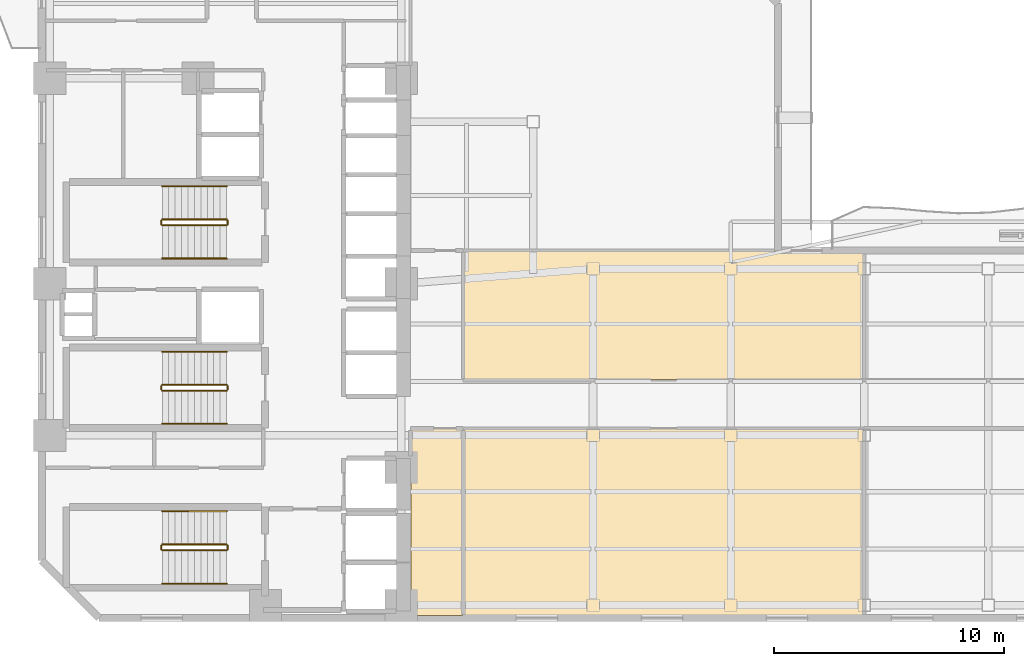
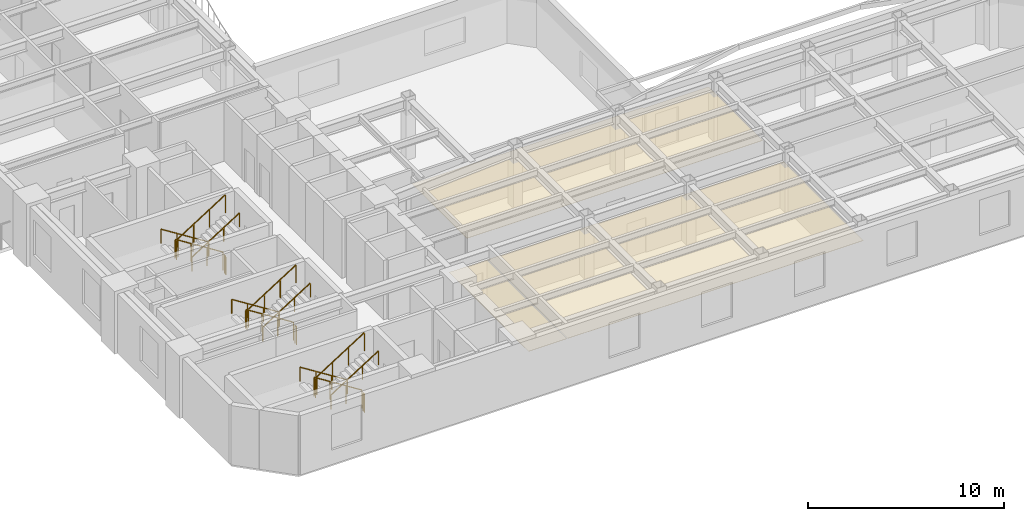
# One storey, part 8 of 10: 18 railings, 3 coverings.
"""IFC4 building model written with IfcOpenShell, lengths in metres."""

from ifc_helpers import new_model, si_unit, direction, frame, origin, origin_2d, place, context, subcontext, project, spatial, polyline, rectangle, outline, extrude, material, layer, layer_set, type_object, element, save


model = new_model("IFC4")

# Units and contexts
model_context = context("Model", 3, precision=1e-05, world=origin(), true_north=direction((0.0, 1.0)))
body_context = subcontext(model_context, "Body", "Model", "MODEL_VIEW")
ifc_project = project(units=[si_unit("LENGTHUNIT", "METRE"), si_unit("AREAUNIT", "SQUARE_METRE"), si_unit("VOLUMEUNIT", "CUBIC_METRE"), si_unit("PLANEANGLEUNIT", "RADIAN"), si_unit("MASSUNIT", "GRAM", prefix="KILO")], contexts=[model_context])

# Site, building, storey
site_placement = place(None, origin())
site = spatial("IfcSite", under=ifc_project, at=site_placement, CompositionType="ELEMENT")
building_placement = place(site_placement, origin())
building = spatial("IfcBuilding", under=site, at=building_placement, Name="Mawjaban Terraces University", CompositionType="ELEMENT")
storey_placement = place(building_placement, frame((0.0, 0.0, 42.699951171875)))
storey = spatial("IfcBuildingStorey", under=building, at=storey_placement, Name="L09", CompositionType="ELEMENT", Elevation=42.699951171875)

# Coverings
ifc_material_1 = material(Name="Acoustic mineral fibre ceiling tile", Category="masonry")
ifc_layer = layer(ifc_material_1, 0.02001953125)
ifc_layer_set = layer_set([ifc_layer], Name="Acoustic mineral fibre ceiling tile")
covering_type = type_object("IfcCoveringType", Name="AcousticMineralCeiling_20", PredefinedType="CEILING", material=ifc_layer_set)
covering_1_placement = place(storey_placement, frame((0.0, 0.0, 2.75)))
element("IfcCovering", 1, at=covering_1_placement, inside=storey, type_object=covering_type, Name="L09 Design Studio 1 Acoustic Ceiling", PredefinedType="CEILING", context=body_context, shape_type="SweptSolid", body=[
    extrude(outline(polyline([(38.080078125, 0.114990234375), (40.320068359375, 0.114990234375), (40.320068359375, 8.219970703125), (38.080078125, 8.219970703125), (38.080078125, 0.114990234375)])), origin(), (0.0, 0.0, 1.0), 0.02001953125),
])
covering_2_placement = place(storey_placement, frame((0.0, 0.0, 2.75)))
element("IfcCovering", 2, at=covering_2_placement, inside=storey, type_object=covering_type, Name="L09 Computational Laboratory 2 Acoustic Ceiling", PredefinedType="CEILING", context=body_context, shape_type="SweptSolid", body=[
    extrude(outline(polyline([(40.3798828125, 0.114990234375), (57.77001953125, 0.114990234375), (57.77001953125, 8.219970703125), (40.3798828125, 8.219970703125), (40.3798828125, 0.114990234375)])), origin(), (0.0, 0.0, 1.0), 0.02001953125),
])
covering_3_placement = place(storey_placement, frame((0.0, 0.0, 2.75)))
element("IfcCovering", 3, at=covering_3_placement, inside=storey, type_object=covering_type, Name="L09 Teaching Laboratory 3 Acoustic Ceiling", PredefinedType="CEILING", context=body_context, shape_type="SweptSolid", body=[
    extrude(outline(polyline([(57.77001953125, 15.885009765625), (53.93505859375, 15.885009765625), (53.93505859375, 15.969970703125), (40.3798828125, 15.969970703125), (40.3798828125, 10.3798828125), (57.77001953125, 10.3798828125), (57.77001953125, 15.885009765625)])), origin(), (0.0, 0.0, 1.0), 0.02001953125),
])

# Railings
ifc_material_2 = material(Name="Brushed stainless steel 316", Category="steel")
railing_type_1 = type_object("IfcRailingType", Name="StairWallHandrail_900", PredefinedType="HANDRAIL", material=ifc_material_2)
railing_1_placement = place(storey_placement, frame((30.050048828125, 4.64990234375, 0.17724609375)))
element("IfcRailing", 4, at=railing_1_placement, inside=storey, type_object=railing_type_1, Name="L09 ST-1 stair handrail 1", PredefinedType="HANDRAIL", context=body_context, shape_type="SweptSolid", body=[
    extrude(rectangle(XDim=0.048095703125, YDim=0.048095703125, at=origin_2d()), frame((0.0, 0.0, 0.8759765625), z_axis=(-0.844908973607, 0.0, 0.534910110503), x_axis=(0.0, -1.0, 0.0)), (0.0, 0.0, 1.0), 3.31396484375),
    extrude(rectangle(XDim=0.0419921875, YDim=0.0419921875, at=origin_2d()), origin(), (0.0, 0.0, 1.0), 0.851806640625),
    extrude(rectangle(XDim=0.0419921875, YDim=0.0419921875, at=origin_2d()), frame((-0.933349609375, 0.0, 0.5908203125)), (0.0, 0.0, 1.0), 0.851806640625),
    extrude(rectangle(XDim=0.0419921875, YDim=0.0419921875, at=origin_2d()), frame((-1.86669921875, 0.0, 1.181884765625)), (0.0, 0.0, 1.0), 0.851806640625),
    extrude(rectangle(XDim=0.0419921875, YDim=0.0419921875, at=origin_2d()), frame((-2.800048828125, 0.0, 1.772705078125)), (0.0, 0.0, 1.0), 0.851806640625),
])
railing_2_placement = place(storey_placement, frame((27.25, 1.5, 2.12744140625)))
element("IfcRailing", 5, at=railing_2_placement, inside=storey, type_object=railing_type_1, Name="L09 ST-1 stair handrail 2", PredefinedType="HANDRAIL", context=body_context, shape_type="SweptSolid", body=[
    extrude(rectangle(XDim=0.048095703125, YDim=0.048095703125, at=origin_2d()), frame((0.0, 0.0, 0.8759765625), z_axis=(0.844908973607, 0.0, 0.534910110503), x_axis=(0.0, 1.0, 0.0)), (0.0, 0.0, 1.0), 3.31396484375),
    extrude(rectangle(XDim=0.0419921875, YDim=0.0419921875, at=origin_2d()), origin(), (0.0, 0.0, 1.0), 0.851806640625),
    extrude(rectangle(XDim=0.0419921875, YDim=0.0419921875, at=origin_2d()), frame((0.933349609375, 0.0, 0.5908203125)), (0.0, 0.0, 1.0), 0.851806640625),
    extrude(rectangle(XDim=0.0419921875, YDim=0.0419921875, at=origin_2d()), frame((1.86669921875, 0.0, 1.181884765625)), (0.0, 0.0, 1.0), 0.851806640625),
    extrude(rectangle(XDim=0.0419921875, YDim=0.0419921875, at=origin_2d()), frame((2.800048828125, 0.0, 1.772705078125)), (0.0, 0.0, 1.0), 0.851806640625),
])
railing_3_placement = place(storey_placement, frame((30.050048828125, 18.800048828125, 0.17724609375)))
element("IfcRailing", 6, at=railing_3_placement, inside=storey, type_object=railing_type_1, Name="L09 ST-2 stair handrail 1", PredefinedType="HANDRAIL", context=body_context, shape_type="SweptSolid", body=[
    extrude(rectangle(XDim=0.048095703125, YDim=0.048095703125, at=origin_2d()), frame((0.0, 0.0, 0.8759765625), z_axis=(-0.844908973607, 0.0, 0.534910110503), x_axis=(0.0, -1.0, 0.0)), (0.0, 0.0, 1.0), 3.31396484375),
    extrude(rectangle(XDim=0.0419921875, YDim=0.0419921875, at=origin_2d()), origin(), (0.0, 0.0, 1.0), 0.851806640625),
    extrude(rectangle(XDim=0.0419921875, YDim=0.0419921875, at=origin_2d()), frame((-0.933349609375, 0.0, 0.5908203125)), (0.0, 0.0, 1.0), 0.851806640625),
    extrude(rectangle(XDim=0.0419921875, YDim=0.0419921875, at=origin_2d()), frame((-1.86669921875, 0.0, 1.181884765625)), (0.0, 0.0, 1.0), 0.851806640625),
    extrude(rectangle(XDim=0.0419921875, YDim=0.0419921875, at=origin_2d()), frame((-2.800048828125, 0.0, 1.772705078125)), (0.0, 0.0, 1.0), 0.851806640625),
])
railing_4_placement = place(storey_placement, frame((27.25, 15.64990234375, 2.12744140625)))
element("IfcRailing", 7, at=railing_4_placement, inside=storey, type_object=railing_type_1, Name="L09 ST-2 stair handrail 2", PredefinedType="HANDRAIL", context=body_context, shape_type="SweptSolid", body=[
    extrude(rectangle(XDim=0.048095703125, YDim=0.048095703125, at=origin_2d()), frame((0.0, 0.0, 0.8759765625), z_axis=(0.844908973607, 0.0, 0.534910110503), x_axis=(0.0, 1.0, 0.0)), (0.0, 0.0, 1.0), 3.31396484375),
    extrude(rectangle(XDim=0.0419921875, YDim=0.0419921875, at=origin_2d()), origin(), (0.0, 0.0, 1.0), 0.851806640625),
    extrude(rectangle(XDim=0.0419921875, YDim=0.0419921875, at=origin_2d()), frame((0.933349609375, 0.0, 0.5908203125)), (0.0, 0.0, 1.0), 0.851806640625),
    extrude(rectangle(XDim=0.0419921875, YDim=0.0419921875, at=origin_2d()), frame((1.86669921875, 0.0, 1.181884765625)), (0.0, 0.0, 1.0), 0.851806640625),
    extrude(rectangle(XDim=0.0419921875, YDim=0.0419921875, at=origin_2d()), frame((2.800048828125, 0.0, 1.772705078125)), (0.0, 0.0, 1.0), 0.851806640625),
])
railing_5_placement = place(storey_placement, frame((30.050048828125, 11.60009765625, 0.17724609375)))
element("IfcRailing", 8, at=railing_5_placement, inside=storey, type_object=railing_type_1, Name="L09 ST-3 stair handrail 1", PredefinedType="HANDRAIL", context=body_context, shape_type="SweptSolid", body=[
    extrude(rectangle(XDim=0.048095703125, YDim=0.048095703125, at=origin_2d()), frame((0.0, 0.0, 0.8759765625), z_axis=(-0.844908973607, 0.0, 0.534910110503), x_axis=(0.0, -1.0, 0.0)), (0.0, 0.0, 1.0), 3.31396484375),
    extrude(rectangle(XDim=0.0419921875, YDim=0.0419921875, at=origin_2d()), origin(), (0.0, 0.0, 1.0), 0.851806640625),
    extrude(rectangle(XDim=0.0419921875, YDim=0.0419921875, at=origin_2d()), frame((-0.933349609375, 0.0, 0.5908203125)), (0.0, 0.0, 1.0), 0.851806640625),
    extrude(rectangle(XDim=0.0419921875, YDim=0.0419921875, at=origin_2d()), frame((-1.86669921875, 0.0, 1.181884765625)), (0.0, 0.0, 1.0), 0.851806640625),
    extrude(rectangle(XDim=0.0419921875, YDim=0.0419921875, at=origin_2d()), frame((-2.800048828125, 0.0, 1.772705078125)), (0.0, 0.0, 1.0), 0.851806640625),
])
railing_6_placement = place(storey_placement, frame((27.25, 8.449951171875, 2.12744140625)))
element("IfcRailing", 9, at=railing_6_placement, inside=storey, type_object=railing_type_1, Name="L09 ST-3 stair handrail 2", PredefinedType="HANDRAIL", context=body_context, shape_type="SweptSolid", body=[
    extrude(rectangle(XDim=0.048095703125, YDim=0.048095703125, at=origin_2d()), frame((0.0, 0.0, 0.8759765625), z_axis=(0.844908973607, 0.0, 0.534910110503), x_axis=(0.0, 1.0, 0.0)), (0.0, 0.0, 1.0), 3.31396484375),
    extrude(rectangle(XDim=0.0419921875, YDim=0.0419921875, at=origin_2d()), origin(), (0.0, 0.0, 1.0), 0.851806640625),
    extrude(rectangle(XDim=0.0419921875, YDim=0.0419921875, at=origin_2d()), frame((0.933349609375, 0.0, 0.5908203125)), (0.0, 0.0, 1.0), 0.851806640625),
    extrude(rectangle(XDim=0.0419921875, YDim=0.0419921875, at=origin_2d()), frame((1.86669921875, 0.0, 1.181884765625)), (0.0, 0.0, 1.0), 0.851806640625),
    extrude(rectangle(XDim=0.0419921875, YDim=0.0419921875, at=origin_2d()), frame((2.800048828125, 0.0, 1.772705078125)), (0.0, 0.0, 1.0), 0.851806640625),
])
ifc_material_3 = material(Name="Galvanised painted steel S355", Category="steel")
railing_type_2 = type_object("IfcRailingType", Name="StairWellGuard_1150", PredefinedType="BALUSTRADE", material=ifc_material_3)
railing_7_placement = place(storey_placement, frame((30.050048828125, 3.199951171875, 0.17724609375)))
element("IfcRailing", 10, at=railing_7_placement, inside=storey, type_object=railing_type_2, Name="L09 ST-1 stair guard 1", PredefinedType="BALUSTRADE", context=body_context, shape_type="SweptSolid", body=[
    extrude(rectangle(XDim=0.048095703125, YDim=0.048095703125, at=origin_2d()), frame((0.0, 0.0, 1.1259765625), z_axis=(-0.844908973607, 0.0, 0.534910110503), x_axis=(0.0, -1.0, 0.0)), (0.0, 0.0, 1.0), 3.31396484375),
    extrude(rectangle(XDim=0.0419921875, YDim=0.0419921875, at=origin_2d()), origin(), (0.0, 0.0, 1.0), 1.101806640625),
    extrude(rectangle(XDim=0.0419921875, YDim=0.0419921875, at=origin_2d()), frame((-0.933349609375, 0.0, 0.5908203125)), (0.0, 0.0, 1.0), 1.101806640625),
    extrude(rectangle(XDim=0.0419921875, YDim=0.0419921875, at=origin_2d()), frame((-1.86669921875, 0.0, 1.181884765625)), (0.0, 0.0, 1.0), 1.101806640625),
    extrude(rectangle(XDim=0.0419921875, YDim=0.0419921875, at=origin_2d()), frame((-2.800048828125, 0.0, 1.772705078125)), (0.0, 0.0, 1.0), 1.101806640625),
])
railing_8_placement = place(storey_placement, frame((27.199951171875, 3.14990234375, 1.949951171875)))
element("IfcRailing", 11, at=railing_8_placement, inside=storey, type_object=railing_type_2, Name="L09 ST-1 stair guard 2", PredefinedType="BALUSTRADE", context=body_context, shape_type="SweptSolid", body=[
    extrude(rectangle(XDim=0.048095703125, YDim=0.048095703125, at=origin_2d()), frame((0.0, 0.0, 1.1259765625), z_axis=(0.0, -1.0, 0.0), x_axis=(1.0, 0.0, 0.0)), (0.0, 0.0, 1.0), 0.14990234375),
    extrude(rectangle(XDim=0.0419921875, YDim=0.0419921875, at=origin_2d()), origin(), (0.0, 0.0, 1.0), 1.101806640625),
    extrude(rectangle(XDim=0.0419921875, YDim=0.0419921875, at=origin_2d()), frame((0.0, -0.14990234375, 0.0)), (0.0, 0.0, 1.0), 1.101806640625),
])
railing_9_placement = place(storey_placement, frame((27.25, 2.949951171875, 2.12744140625)))
element("IfcRailing", 12, at=railing_9_placement, inside=storey, type_object=railing_type_2, Name="L09 ST-1 stair guard 3", PredefinedType="BALUSTRADE", context=body_context, shape_type="SweptSolid", body=[
    extrude(rectangle(XDim=0.048095703125, YDim=0.048095703125, at=origin_2d()), frame((0.0, 0.0, 1.1259765625), z_axis=(0.844908973607, 0.0, 0.534910110503), x_axis=(0.0, 1.0, 0.0)), (0.0, 0.0, 1.0), 3.31396484375),
    extrude(rectangle(XDim=0.0419921875, YDim=0.0419921875, at=origin_2d()), origin(), (0.0, 0.0, 1.0), 1.101806640625),
    extrude(rectangle(XDim=0.0419921875, YDim=0.0419921875, at=origin_2d()), frame((0.933349609375, 0.0, 0.5908203125)), (0.0, 0.0, 1.0), 1.101806640625),
    extrude(rectangle(XDim=0.0419921875, YDim=0.0419921875, at=origin_2d()), frame((1.86669921875, 0.0, 1.181884765625)), (0.0, 0.0, 1.0), 1.101806640625),
    extrude(rectangle(XDim=0.0419921875, YDim=0.0419921875, at=origin_2d()), frame((2.800048828125, 0.0, 1.772705078125)), (0.0, 0.0, 1.0), 1.101806640625),
])
railing_10_placement = place(storey_placement, frame((30.10009765625, 3.14990234375, 0.0)))
element("IfcRailing", 13, at=railing_10_placement, inside=storey, type_object=railing_type_2, Name="L09 ST-1 stair guard 4", PredefinedType="BALUSTRADE", context=body_context, shape_type="SweptSolid", body=[
    extrude(rectangle(XDim=0.048095703125, YDim=0.048095703125, at=origin_2d()), frame((0.0, 0.0, 1.1259765625), z_axis=(0.0, -1.0, 0.0), x_axis=(1.0, 0.0, 0.0)), (0.0, 0.0, 1.0), 0.14990234375),
    extrude(rectangle(XDim=0.0419921875, YDim=0.0419921875, at=origin_2d()), origin(), (0.0, 0.0, 1.0), 1.101806640625),
    extrude(rectangle(XDim=0.0419921875, YDim=0.0419921875, at=origin_2d()), frame((0.0, -0.14990234375, 0.0)), (0.0, 0.0, 1.0), 1.101806640625),
])
railing_11_placement = place(storey_placement, frame((30.050048828125, 17.35009765625, 0.17724609375)))
element("IfcRailing", 14, at=railing_11_placement, inside=storey, type_object=railing_type_2, Name="L09 ST-2 stair guard 1", PredefinedType="BALUSTRADE", context=body_context, shape_type="SweptSolid", body=[
    extrude(rectangle(XDim=0.048095703125, YDim=0.048095703125, at=origin_2d()), frame((0.0, 0.0, 1.1259765625), z_axis=(-0.844908973607, 0.0, 0.534910110503), x_axis=(0.0, -1.0, 0.0)), (0.0, 0.0, 1.0), 3.31396484375),
    extrude(rectangle(XDim=0.0419921875, YDim=0.0419921875, at=origin_2d()), origin(), (0.0, 0.0, 1.0), 1.101806640625),
    extrude(rectangle(XDim=0.0419921875, YDim=0.0419921875, at=origin_2d()), frame((-0.933349609375, 0.0, 0.5908203125)), (0.0, 0.0, 1.0), 1.101806640625),
    extrude(rectangle(XDim=0.0419921875, YDim=0.0419921875, at=origin_2d()), frame((-1.86669921875, 0.0, 1.181884765625)), (0.0, 0.0, 1.0), 1.101806640625),
    extrude(rectangle(XDim=0.0419921875, YDim=0.0419921875, at=origin_2d()), frame((-2.800048828125, 0.0, 1.772705078125)), (0.0, 0.0, 1.0), 1.101806640625),
])
railing_12_placement = place(storey_placement, frame((27.199951171875, 17.300048828125, 1.949951171875)))
element("IfcRailing", 15, at=railing_12_placement, inside=storey, type_object=railing_type_2, Name="L09 ST-2 stair guard 2", PredefinedType="BALUSTRADE", context=body_context, shape_type="SweptSolid", body=[
    extrude(rectangle(XDim=0.048095703125, YDim=0.048095703125, at=origin_2d()), frame((0.0, 0.0, 1.1259765625), z_axis=(0.0, -1.0, 0.0), x_axis=(1.0, 0.0, 0.0)), (0.0, 0.0, 1.0), 0.150146484375),
    extrude(rectangle(XDim=0.0419921875, YDim=0.0419921875, at=origin_2d()), origin(), (0.0, 0.0, 1.0), 1.101806640625),
    extrude(rectangle(XDim=0.0419921875, YDim=0.0419921875, at=origin_2d()), frame((0.0, -0.150146484375, 0.0)), (0.0, 0.0, 1.0), 1.101806640625),
])
railing_13_placement = place(storey_placement, frame((27.25, 17.10009765625, 2.12744140625)))
element("IfcRailing", 16, at=railing_13_placement, inside=storey, type_object=railing_type_2, Name="L09 ST-2 stair guard 3", PredefinedType="BALUSTRADE", context=body_context, shape_type="SweptSolid", body=[
    extrude(rectangle(XDim=0.048095703125, YDim=0.048095703125, at=origin_2d()), frame((0.0, 0.0, 1.1259765625), z_axis=(0.844908973607, 0.0, 0.534910110503), x_axis=(0.0, 1.0, 0.0)), (0.0, 0.0, 1.0), 3.31396484375),
    extrude(rectangle(XDim=0.0419921875, YDim=0.0419921875, at=origin_2d()), origin(), (0.0, 0.0, 1.0), 1.101806640625),
    extrude(rectangle(XDim=0.0419921875, YDim=0.0419921875, at=origin_2d()), frame((0.933349609375, 0.0, 0.5908203125)), (0.0, 0.0, 1.0), 1.101806640625),
    extrude(rectangle(XDim=0.0419921875, YDim=0.0419921875, at=origin_2d()), frame((1.86669921875, 0.0, 1.181884765625)), (0.0, 0.0, 1.0), 1.101806640625),
    extrude(rectangle(XDim=0.0419921875, YDim=0.0419921875, at=origin_2d()), frame((2.800048828125, 0.0, 1.772705078125)), (0.0, 0.0, 1.0), 1.101806640625),
])
railing_14_placement = place(storey_placement, frame((30.10009765625, 17.300048828125, 0.0)))
element("IfcRailing", 17, at=railing_14_placement, inside=storey, type_object=railing_type_2, Name="L09 ST-2 stair guard 4", PredefinedType="BALUSTRADE", context=body_context, shape_type="SweptSolid", body=[
    extrude(rectangle(XDim=0.048095703125, YDim=0.048095703125, at=origin_2d()), frame((0.0, 0.0, 1.1259765625), z_axis=(0.0, -1.0, 0.0), x_axis=(1.0, 0.0, 0.0)), (0.0, 0.0, 1.0), 0.150146484375),
    extrude(rectangle(XDim=0.0419921875, YDim=0.0419921875, at=origin_2d()), origin(), (0.0, 0.0, 1.0), 1.101806640625),
    extrude(rectangle(XDim=0.0419921875, YDim=0.0419921875, at=origin_2d()), frame((0.0, -0.150146484375, 0.0)), (0.0, 0.0, 1.0), 1.101806640625),
])
railing_15_placement = place(storey_placement, frame((30.050048828125, 10.14990234375, 0.17724609375)))
element("IfcRailing", 18, at=railing_15_placement, inside=storey, type_object=railing_type_2, Name="L09 ST-3 stair guard 1", PredefinedType="BALUSTRADE", context=body_context, shape_type="SweptSolid", body=[
    extrude(rectangle(XDim=0.048095703125, YDim=0.048095703125, at=origin_2d()), frame((0.0, 0.0, 1.1259765625), z_axis=(-0.844908973607, 0.0, 0.534910110503), x_axis=(0.0, -1.0, 0.0)), (0.0, 0.0, 1.0), 3.31396484375),
    extrude(rectangle(XDim=0.0419921875, YDim=0.0419921875, at=origin_2d()), origin(), (0.0, 0.0, 1.0), 1.101806640625),
    extrude(rectangle(XDim=0.0419921875, YDim=0.0419921875, at=origin_2d()), frame((-0.933349609375, 0.0, 0.5908203125)), (0.0, 0.0, 1.0), 1.101806640625),
    extrude(rectangle(XDim=0.0419921875, YDim=0.0419921875, at=origin_2d()), frame((-1.86669921875, 0.0, 1.181884765625)), (0.0, 0.0, 1.0), 1.101806640625),
    extrude(rectangle(XDim=0.0419921875, YDim=0.0419921875, at=origin_2d()), frame((-2.800048828125, 0.0, 1.772705078125)), (0.0, 0.0, 1.0), 1.101806640625),
])
railing_16_placement = place(storey_placement, frame((27.199951171875, 10.10009765625, 1.949951171875)))
element("IfcRailing", 19, at=railing_16_placement, inside=storey, type_object=railing_type_2, Name="L09 ST-3 stair guard 2", PredefinedType="BALUSTRADE", context=body_context, shape_type="SweptSolid", body=[
    extrude(rectangle(XDim=0.048095703125, YDim=0.048095703125, at=origin_2d()), frame((0.0, 0.0, 1.1259765625), z_axis=(0.0, -1.0, 0.0), x_axis=(1.0, 0.0, 0.0)), (0.0, 0.0, 1.0), 0.150146484375),
    extrude(rectangle(XDim=0.0419921875, YDim=0.0419921875, at=origin_2d()), origin(), (0.0, 0.0, 1.0), 1.101806640625),
    extrude(rectangle(XDim=0.0419921875, YDim=0.0419921875, at=origin_2d()), frame((0.0, -0.150146484375, 0.0)), (0.0, 0.0, 1.0), 1.101806640625),
])
railing_17_placement = place(storey_placement, frame((27.25, 9.89990234375, 2.12744140625)))
element("IfcRailing", 20, at=railing_17_placement, inside=storey, type_object=railing_type_2, Name="L09 ST-3 stair guard 3", PredefinedType="BALUSTRADE", context=body_context, shape_type="SweptSolid", body=[
    extrude(rectangle(XDim=0.048095703125, YDim=0.048095703125, at=origin_2d()), frame((0.0, 0.0, 1.1259765625), z_axis=(0.844908973607, 0.0, 0.534910110503), x_axis=(0.0, 1.0, 0.0)), (0.0, 0.0, 1.0), 3.31396484375),
    extrude(rectangle(XDim=0.0419921875, YDim=0.0419921875, at=origin_2d()), origin(), (0.0, 0.0, 1.0), 1.101806640625),
    extrude(rectangle(XDim=0.0419921875, YDim=0.0419921875, at=origin_2d()), frame((0.933349609375, 0.0, 0.5908203125)), (0.0, 0.0, 1.0), 1.101806640625),
    extrude(rectangle(XDim=0.0419921875, YDim=0.0419921875, at=origin_2d()), frame((1.86669921875, 0.0, 1.181884765625)), (0.0, 0.0, 1.0), 1.101806640625),
    extrude(rectangle(XDim=0.0419921875, YDim=0.0419921875, at=origin_2d()), frame((2.800048828125, 0.0, 1.772705078125)), (0.0, 0.0, 1.0), 1.101806640625),
])
railing_18_placement = place(storey_placement, frame((30.10009765625, 10.10009765625, 0.0)))
element("IfcRailing", 21, at=railing_18_placement, inside=storey, type_object=railing_type_2, Name="L09 ST-3 stair guard 4", PredefinedType="BALUSTRADE", context=body_context, shape_type="SweptSolid", body=[
    extrude(rectangle(XDim=0.048095703125, YDim=0.048095703125, at=origin_2d()), frame((0.0, 0.0, 1.1259765625), z_axis=(0.0, -1.0, 0.0), x_axis=(1.0, 0.0, 0.0)), (0.0, 0.0, 1.0), 0.150146484375),
    extrude(rectangle(XDim=0.0419921875, YDim=0.0419921875, at=origin_2d()), origin(), (0.0, 0.0, 1.0), 1.101806640625),
    extrude(rectangle(XDim=0.0419921875, YDim=0.0419921875, at=origin_2d()), frame((0.0, -0.150146484375, 0.0)), (0.0, 0.0, 1.0), 1.101806640625),
])

save(model, "model.ifc")
